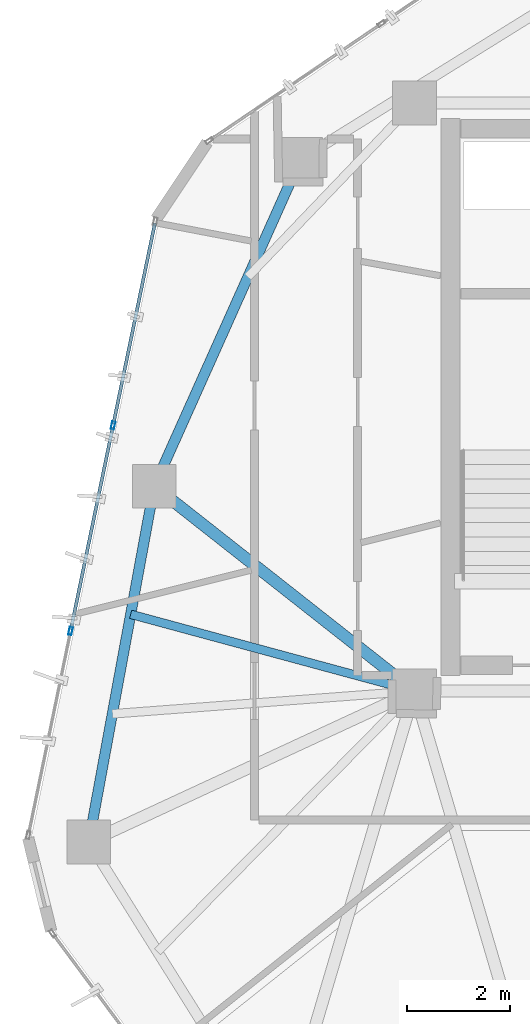
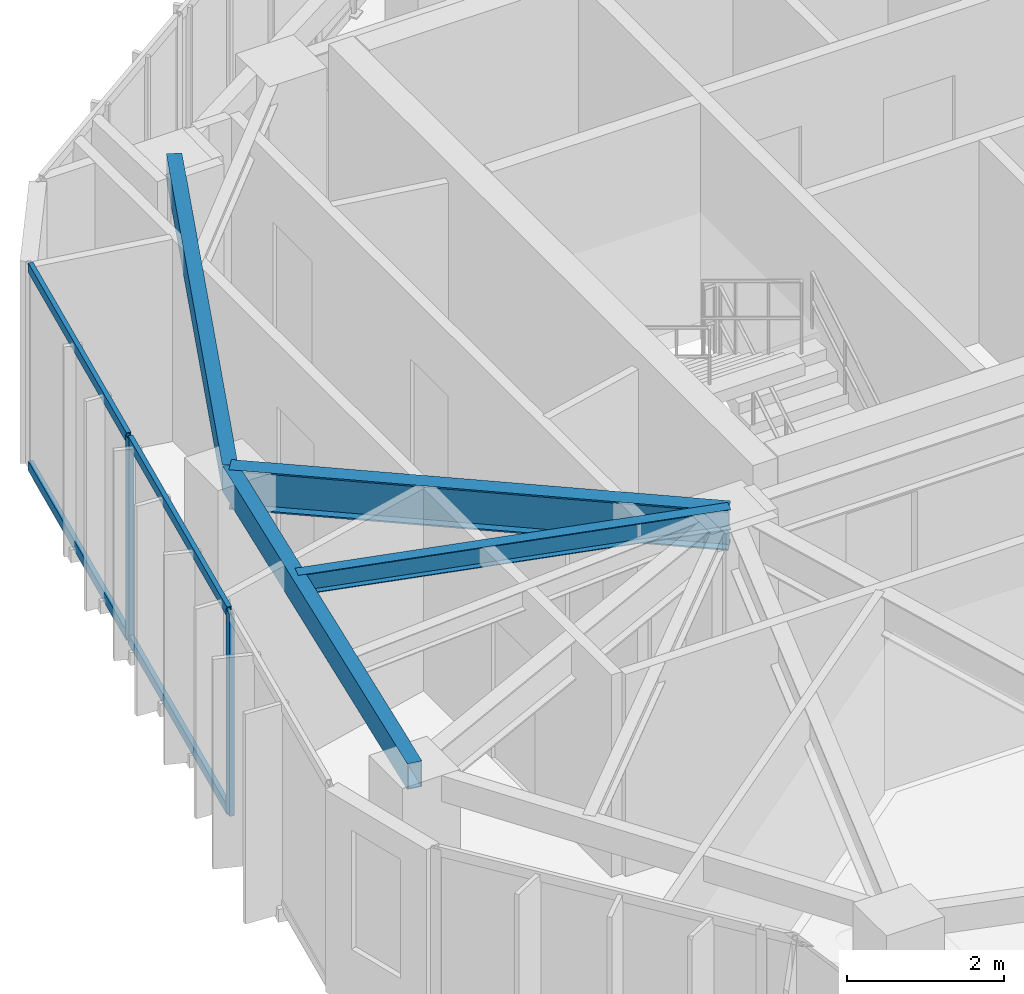
# One storey, part 8 of 20: 6 members, 4 beams, 1 element without a shape of its own.
"""IFC4 building model written with IfcOpenShell, lengths in metres."""

from ifc_helpers import new_model, si_unit, direction, frame, origin, origin_2d, place, context, subcontext, project, spatial, hollow_rectangle, i_section, extrude, source, transform, mapped, material, layer, layer_set, material_profile, profile_set, type_object, type_shapes, element, aggregate, save


model = new_model("IFC4")

# Units and contexts
model_context = context("Model", 3, precision=1e-05, world=origin(), true_north=direction((0.0, 1.0)))
body_context = subcontext(model_context, "Body", "Model", "MODEL_VIEW")
ifc_project = project(units=[si_unit("LENGTHUNIT", "METRE"), si_unit("AREAUNIT", "SQUARE_METRE"), si_unit("VOLUMEUNIT", "CUBIC_METRE"), si_unit("PLANEANGLEUNIT", "RADIAN"), si_unit("MASSUNIT", "GRAM", prefix="KILO")], contexts=[model_context])

# Site, building, storey
site_placement = place(None, origin())
site = spatial("IfcSite", under=ifc_project, at=site_placement, CompositionType="ELEMENT")
building_placement = place(site_placement, origin())
building = spatial("IfcBuilding", under=site, at=building_placement, Name="Talar Marvaseh", CompositionType="ELEMENT")
storey_placement = place(building_placement, frame((0.0, 0.0, 244.199951171875)))
storey = spatial("IfcBuildingStorey", under=building, at=storey_placement, Name="L64", CompositionType="ELEMENT", Elevation=244.199951171875)

# Beams
ifc_material_1 = material(Name="Steel S355", Category="steel")
ifc_material_profile_1 = material_profile(ifc_material_1, hollow_rectangle(XDim=0.199951171875, YDim=0.39990234375, WallThickness=0.013916015625, at=origin_2d()), Name="RHS400x200x14")
ifc_profile_set_1 = profile_set([ifc_material_profile_1], Name="Steel S355")
beam_type_1 = type_object("IfcBeamType", Name="Zone 3 Perimeter Spandrel Beam RHS400x200x14", PredefinedType="SPANDREL", material=ifc_profile_set_1)
beam_1_placement = place(storey_placement, frame((12.388916015625, 22.576904296875, 2.93994140625), z_axis=(0.18106135948, 0.983471801377, 0.0), x_axis=(-0.983471801377, 0.18106135948, 0.0)))
element("IfcBeam", 1, at=beam_1_placement, inside=storey, type_object=beam_type_1, Name="L64 Zone 3 Perimeter Spandrel Beam RHS400x200x14", PredefinedType="SPANDREL", context=body_context, shape_type="SweptSolid", body=[
    extrude(hollow_rectangle(XDim=0.199951171875, YDim=0.39990234375, WallThickness=0.013916015625, at=origin_2d()), origin(), (0.0, 0.0, 1.0), 7.0087890625),
])
beam_2_placement = place(storey_placement, frame((13.657958984375, 29.469970703125, 2.93994140625), z_axis=(0.408486346803, 0.912764429892, 0.0), x_axis=(-0.912764429892, 0.408486346803, 0.0)))
element("IfcBeam", 2, at=beam_2_placement, inside=storey, type_object=beam_type_1, Name="L64 Zone 3 Perimeter Spandrel Beam RHS400x200x14", PredefinedType="SPANDREL", context=body_context, shape_type="SweptSolid", body=[
    extrude(hollow_rectangle(XDim=0.199951171875, YDim=0.39990234375, WallThickness=0.013916015625, at=origin_2d()), origin(), (0.0, 0.0, 1.0), 6.942626953125),
])
ifc_material_profile_2 = material_profile(ifc_material_1, i_section(OverallWidth=0.166015625, OverallDepth=0.31298828125, WebThickness=0.006591796875, FlangeThickness=0.01123046875, at=origin_2d()), Name="W310x45")
ifc_profile_set_2 = profile_set([ifc_material_profile_2], Name="Steel S355")
beam_type_2 = type_object("IfcBeamType", Name="Zone 3 Secondary Floor Joist W310x45", PredefinedType="JOIST", material=ifc_profile_set_2)
beam_3_placement = place(storey_placement, frame((13.201171875, 26.988525390625, 2.983642578125), z_axis=(0.965258580671, -0.26129652206, 0.0), x_axis=(0.26129652206, 0.965258580671, 0.0)))
element("IfcBeam", 3, at=beam_3_placement, inside=storey, type_object=beam_type_2, Name="L64 Zone 3 Secondary Floor Joist W310x45", PredefinedType="JOIST", context=body_context, shape_type="SweptSolid", body=[
    extrude(i_section(OverallWidth=0.166015625, OverallDepth=0.31298828125, WebThickness=0.006591796875, FlangeThickness=0.01123046875, at=origin_2d()), origin(), (0.0, 0.0, 1.0), 5.69677734375),
])
ifc_material_profile_3 = material_profile(ifc_material_1, i_section(OverallWidth=0.22998046875, OverallDepth=0.616943359375, WebThickness=0.01318359375, FlangeThickness=0.022216796875, at=origin_2d()), Name="W610x140")
ifc_profile_set_3 = profile_set([ifc_material_profile_3], Name="Steel S355")
beam_type_3 = type_object("IfcBeamType", Name="Zone 4 Radial Floor Girder W610x140", PredefinedType="BEAM", material=ifc_profile_set_3)
beam_4_placement = place(storey_placement, frame((13.657958984375, 29.469970703125, 2.83154296875), z_axis=(0.785681617372, -0.618631066245, 0.0), x_axis=(0.618631066245, 0.785681617372, 0.0)))
element("IfcBeam", 4, at=beam_4_placement, inside=storey, type_object=beam_type_3, Name="L64 Zone 4 Radial Floor Girder W610x140", PredefinedType="BEAM", context=body_context, shape_type="SweptSolid", body=[
    extrude(i_section(OverallWidth=0.22998046875, OverallDepth=0.616943359375, WebThickness=0.01318359375, FlangeThickness=0.022216796875, at=origin_2d()), origin(), (0.0, 0.0, 1.0), 6.417236328125),
])

# Curtain wall, members
ifc_material_2 = material(Name="Architectural Aluminium", Category="aluminium")
ifc_layer = layer(ifc_material_2, 0.179931640625)
ifc_layer_set = layer_set([ifc_layer], Name="Architectural Aluminium")
curtain_wall_type = type_object("IfcCurtainWallType", Name="Unitised High-Wind Sky Curtain Wall Z4", PredefinedType="NOTDEFINED", material=ifc_layer_set)
curtain_wall_placement = place(storey_placement, origin())
curtain_wall = element("IfcCurtainWall", 5, at=curtain_wall_placement, inside=storey, type_object=curtain_wall_type, Name="L64 Unitised High-Wind Sky Curtain Wall Z4", PredefinedType="NOTDEFINED")
ifc_material_profile_4 = material_profile(ifc_material_2, hollow_rectangle(XDim=0.06494140625, YDim=0.14990234375, WallThickness=0.00390625, at=origin_2d()), Name="RHS150x65x4")
ifc_profile_set_4 = profile_set([ifc_material_profile_4], Name="Architectural Aluminium")
member_type_1 = type_object("IfcMemberType", Name="Unitised Curtain Wall Slim Transom RHS150x65x4", PredefinedType="USERDEFINED", material=ifc_profile_set_4)
shared_shape_1 = source(origin(), body_context, "Body", "SweptSolid", [
    extrude(hollow_rectangle(XDim=0.06494140625, YDim=0.14990234375, WallThickness=0.00390625, at=origin_2d()), origin(), (0.0, 0.0, 1.0), 3.97119140625),
])
member_1_placement = place(storey_placement, frame((12.86669921875, 30.6787109375, 0.032470703125), z_axis=(0.202508023599, 0.979280603493, 0.0), x_axis=(-0.979280603493, 0.202508023599, 0.0)))
member_1 = element("IfcMember", 6, at=member_1_placement, type_object=member_type_1, Name="CW-Z4 transom 3.1", ObjectType="TRANSOM", PredefinedType="USERDEFINED", context=body_context, shape_type="MappedRepresentation", body=[
    mapped(shared_shape_1, transform((0.0, 0.0, 0.0), x_axis=(1.0, 0.0, 0.0), y_axis=(0.0, 1.0, 0.0), z_axis=(0.0, 0.0, 1.0), scale=1.0)),
])
member_2_placement = place(storey_placement, frame((12.86669921875, 30.6787109375, 3.107666015625), z_axis=(0.202508023599, 0.979280603493, 0.0), x_axis=(-0.979280603493, 0.202508023599, 0.0)))
member_2 = element("IfcMember", 7, at=member_2_placement, type_object=member_type_1, Name="CW-Z4 transom 3.2", ObjectType="TRANSOM", PredefinedType="USERDEFINED", context=body_context, shape_type="MappedRepresentation", body=[
    mapped(shared_shape_1, transform((0.0, 0.0, 0.0), x_axis=(1.0, 0.0, 0.0), y_axis=(0.0, 1.0, 0.0), z_axis=(0.0, 0.0, 1.0), scale=1.0)),
])
ifc_material_profile_5 = material_profile(ifc_material_2, hollow_rectangle(XDim=0.06494140625, YDim=0.14990234375, WallThickness=0.00390625, at=origin_2d()), Name="RHS150x65x4")
ifc_profile_set_5 = profile_set([ifc_material_profile_5], Name="Architectural Aluminium")
member_type_2 = type_object("IfcMemberType", Name="Unitised Curtain Wall Slim Mullion RHS150x65x4", PredefinedType="MULLION", material=ifc_profile_set_5)
shared_shape_2 = source(origin(), body_context, "Body", "SweptSolid", [
    extrude(hollow_rectangle(XDim=0.06494140625, YDim=0.14990234375, WallThickness=0.00390625, at=origin_2d()), origin(), (0.0, 0.0, 1.0), 3.14013671875),
])
type_shapes(member_type_2, [shared_shape_2])
member_3_placement = place(storey_placement, frame((12.036376953125, 26.66259765625, 0.0), z_axis=(0.0, 0.0, 1.0), x_axis=(-0.979286026612, 0.202481796914, 0.0)))
member_3 = element("IfcMember", 8, at=member_3_placement, type_object=member_type_2, Name="CW-Z4 mullion 2", PredefinedType="MULLION", context=body_context, shape_type="MappedRepresentation", body=[
    mapped(shared_shape_2, transform((0.0, 0.0, 0.0), x_axis=(1.0, 0.0, 0.0), y_axis=(0.0, 1.0, 0.0), z_axis=(0.0, 0.0, 1.0), scale=1.0)),
])
member_4_placement = place(storey_placement, frame((12.860107421875, 30.64697265625, 0.0), z_axis=(0.0, 0.0, 1.0), x_axis=(-0.979286026612, 0.202481796914, 0.0)))
member_4 = element("IfcMember", 9, at=member_4_placement, type_object=member_type_2, Name="CW-Z4 mullion 3", PredefinedType="MULLION", context=body_context, shape_type="MappedRepresentation", body=[
    mapped(shared_shape_2, transform((0.0, 0.0, 0.0), x_axis=(1.0, 0.0, 0.0), y_axis=(0.0, 1.0, 0.0), z_axis=(0.0, 0.0, 1.0), scale=1.0)),
])
shared_shape_3 = source(origin(), body_context, "Body", "SweptSolid", [
    extrude(hollow_rectangle(XDim=0.06494140625, YDim=0.14990234375, WallThickness=0.00390625, at=origin_2d()), origin(), (0.0, 0.0, 1.0), 4.00390625),
])
type_shapes(member_type_1, [shared_shape_1, shared_shape_3])
member_5_placement = place(storey_placement, frame((12.04296875, 26.6943359375, 0.032470703125), z_axis=(0.202444293309, 0.979293780286, 0.0), x_axis=(-0.979293780286, 0.202444293309, 0.0)))
member_5 = element("IfcMember", 10, at=member_5_placement, type_object=member_type_1, Name="CW-Z4 transom 2.1", ObjectType="TRANSOM", PredefinedType="USERDEFINED", context=body_context, shape_type="MappedRepresentation", body=[
    mapped(shared_shape_3, transform((0.0, 0.0, 0.0), x_axis=(1.0, 0.0, 0.0), y_axis=(0.0, 1.0, 0.0), z_axis=(0.0, 0.0, 1.0), scale=1.0)),
])
member_6_placement = place(storey_placement, frame((12.04296875, 26.6943359375, 3.107666015625), z_axis=(0.202444293309, 0.979293780286, 0.0), x_axis=(-0.979293780286, 0.202444293309, 0.0)))
member_6 = element("IfcMember", 11, at=member_6_placement, type_object=member_type_1, Name="CW-Z4 transom 2.2", ObjectType="TRANSOM", PredefinedType="USERDEFINED", context=body_context, shape_type="MappedRepresentation", body=[
    mapped(shared_shape_3, transform((0.0, 0.0, 0.0), x_axis=(1.0, 0.0, 0.0), y_axis=(0.0, 1.0, 0.0), z_axis=(0.0, 0.0, 1.0), scale=1.0)),
])
aggregate(curtain_wall, [member_3, member_4, member_5, member_6, member_1, member_2])

save(model, "model.ifc")
